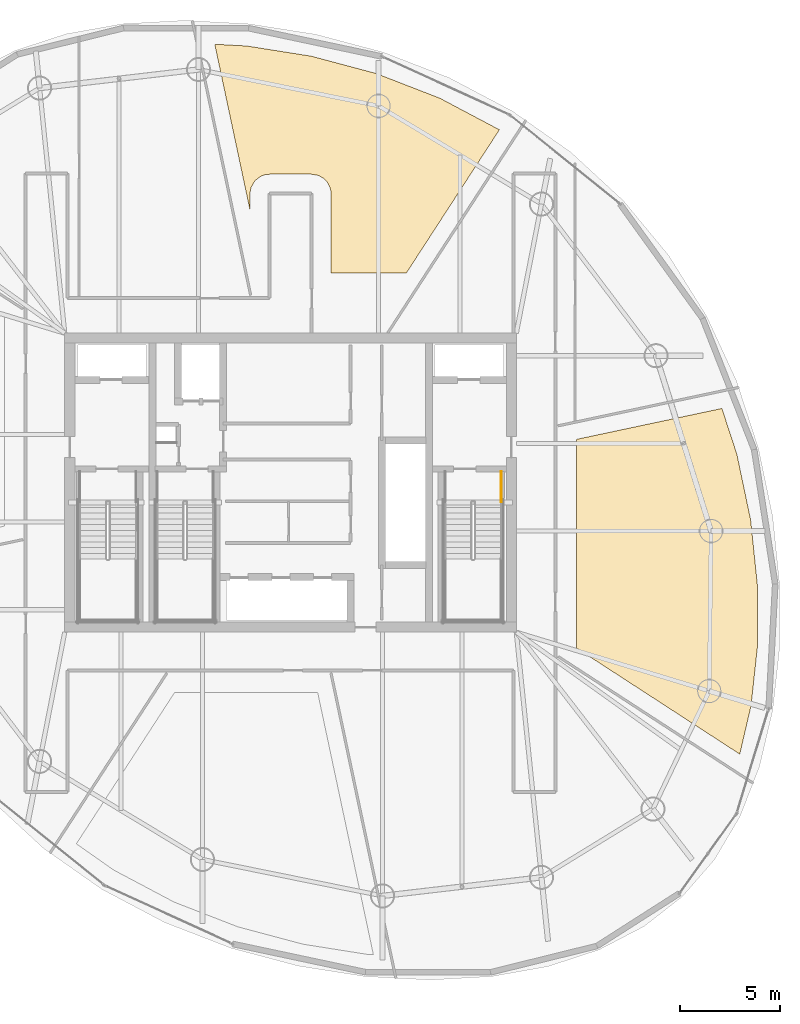
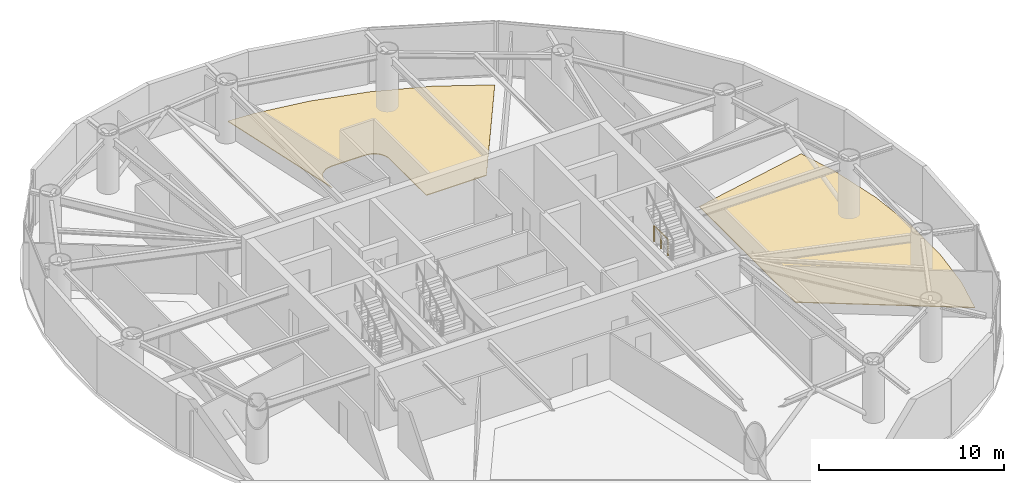
# One storey, part 19 of 19: 2 coverings, 1 railing.
"""IFC4 building model written with IfcOpenShell, lengths in metres."""

from ifc_helpers import new_model, si_unit, direction, frame, origin, origin_2d, place, context, subcontext, project, spatial, polyline, circle, outline, extrude, material, layer, layer_set, type_object, element, save


model = new_model("IFC4")

# Units and contexts
model_context = context("Model", 3, precision=1e-05, world=origin(), true_north=direction((0.0, 1.0)))
body_context = subcontext(model_context, "Body", "Model", "MODEL_VIEW")
ifc_project = project(units=[si_unit("LENGTHUNIT", "METRE"), si_unit("AREAUNIT", "SQUARE_METRE"), si_unit("VOLUMEUNIT", "CUBIC_METRE"), si_unit("PLANEANGLEUNIT", "RADIAN"), si_unit("MASSUNIT", "GRAM", prefix="KILO")], contexts=[model_context])

# Site, building, storey
site_placement = place(None, origin())
site = spatial("IfcSite", under=ifc_project, at=site_placement, CompositionType="ELEMENT")
building_placement = place(site_placement, origin())
building = spatial("IfcBuilding", under=site, at=building_placement, Name="Bramvorn Convention Spire", CompositionType="ELEMENT")
storey_placement = place(building_placement, frame((0.0, 0.0, 217.39990234375)))
storey = spatial("IfcBuildingStorey", under=building, at=storey_placement, Name="L55", CompositionType="ELEMENT", Elevation=217.39990234375)

# Coverings
ifc_material_1 = material(Name="Calcium-Sulphate Raised Access Office Floor", Category="steel")
ifc_layer = layer(ifc_material_1, 0.044921875)
ifc_layer_set = layer_set([ifc_layer], Name="Calcium-Sulphate Raised Access Office Floor - FLR-RAISED-45")
covering_type = type_object("IfcCoveringType", Name="FLR-RAISED-45", PredefinedType="FLOORING", material=ifc_layer_set)
covering_1_placement = place(storey_placement, origin())
element("IfcCovering", 1, at=covering_1_placement, inside=storey, type_object=covering_type, Name="L55 Partner Office Chamber 2 2 raised floor finish", PredefinedType="FLOORING", context=body_context, shape_type="SweptSolid", body=[
    extrude(outline(polyline([(35.98095703125, 40.441650390625), (36.034912109375, 40.72119140625), (36.227294921875, 41.047119140625), (36.530029296875, 41.274169921875), (36.72021484375, 41.34228515625), (36.949951171875, 41.3701171875), (39.050048828125, 41.3701171875), (39.38232421875, 41.311279296875), (39.623046875, 41.1826171875), (39.825439453125, 40.982421875), (39.961181640625, 40.732421875), (40.01025390625, 40.53662109375), (40.02001953125, 36.449951171875), (43.772705078125, 36.449951171875), (48.406982421875, 43.5859375), (45.44091796875, 45.15771484375), (42.270263671875, 46.387451171875), (39.03369140625, 47.251220703125), (35.819580078125, 47.760009765625), (34.225341796875, 47.84619140625), (35.97998046875, 39.591552734375), (35.98095703125, 40.441650390625)])), origin(), (0.0, 0.0, 1.0), 0.045166015625),
])
covering_2_placement = place(storey_placement, origin())
element("IfcCovering", 2, at=covering_2_placement, inside=storey, type_object=covering_type, Name="L55 Deposition Meeting Room 2 8 raised floor finish", PredefinedType="FLOORING", context=body_context, shape_type="SweptSolid", body=[
    extrude(outline(polyline([(60.9443359375, 14.88330078125), (61.260498046875, 17.79296875), (61.2607421875, 20.90380859375), (60.926513671875, 24.140625), (60.239013671875, 27.419189453125), (59.493896484375, 29.69970703125), (52.25, 28.159912109375), (52.25, 17.759521484375), (60.384033203125, 12.477294921875), (60.9443359375, 14.88330078125)])), origin(), (0.0, 0.0, 1.0), 0.045166015625),
])

# Railing
ifc_material_2 = material(Name="Painted Steel Balustrade & Guardrail", Category="steel")
railing_type = type_object("IfcRailingType", Name="RL-STAIR-GUARD-1100", PredefinedType="GUARDRAIL", material=ifc_material_2)
railing_placement = place(storey_placement, frame((48.5, 26.550048828125, 0.0)))
element("IfcRailing", 3, at=railing_placement, inside=storey, type_object=railing_type, Name="L55 ST2 stair guard 9", PredefinedType="GUARDRAIL", context=body_context, shape_type="SweptSolid", body=[
    extrude(circle(Radius=0.02392578125, at=origin_2d()), frame((0.0, 0.0, 1.076171875), z_axis=(0.0, -1.0, 0.0), x_axis=(1.0, 0.0, 0.0)), (0.0, 0.0, 1.0), 1.5),
    extrude(circle(Radius=0.02099609375, at=origin_2d()), origin(), (0.0, 0.0, 1.0), 1.052001953125),
    extrude(circle(Radius=0.02099609375, at=origin_2d()), frame((0.0, -0.75, 0.0)), (0.0, 0.0, 1.0), 1.052001953125),
    extrude(circle(Radius=0.02099609375, at=origin_2d()), frame((0.0, -1.5, 0.0)), (0.0, 0.0, 1.0), 1.052001953125),
])

save(model, "model.ifc")
